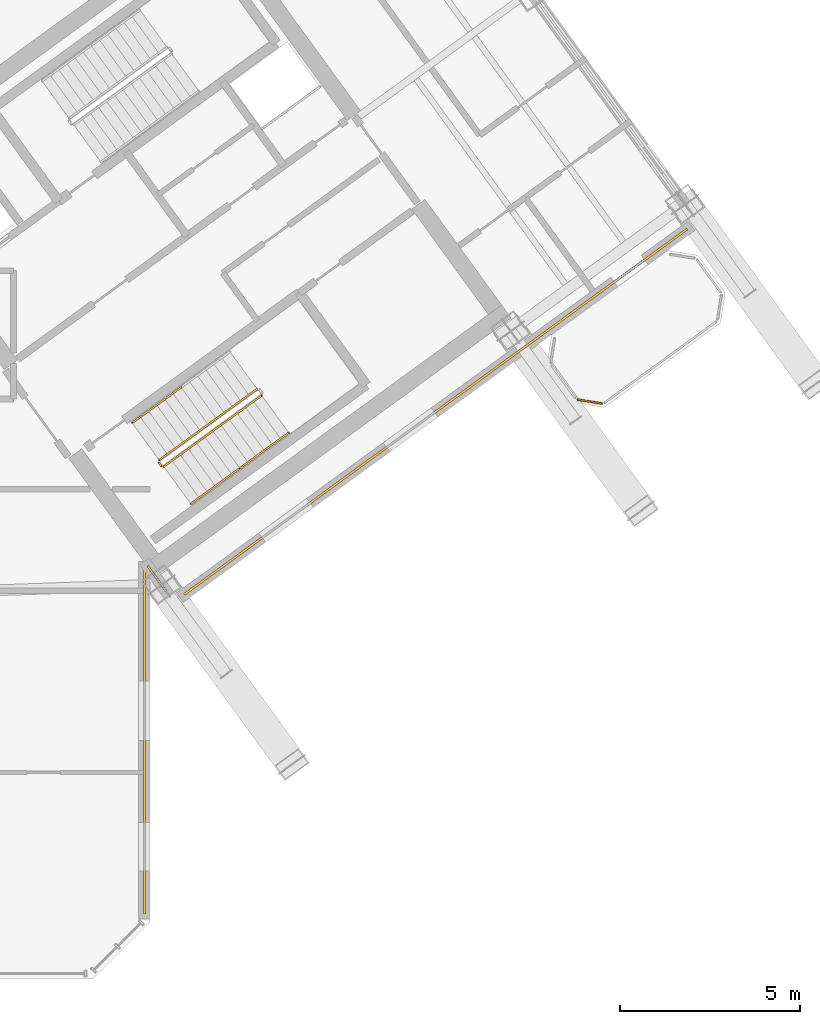
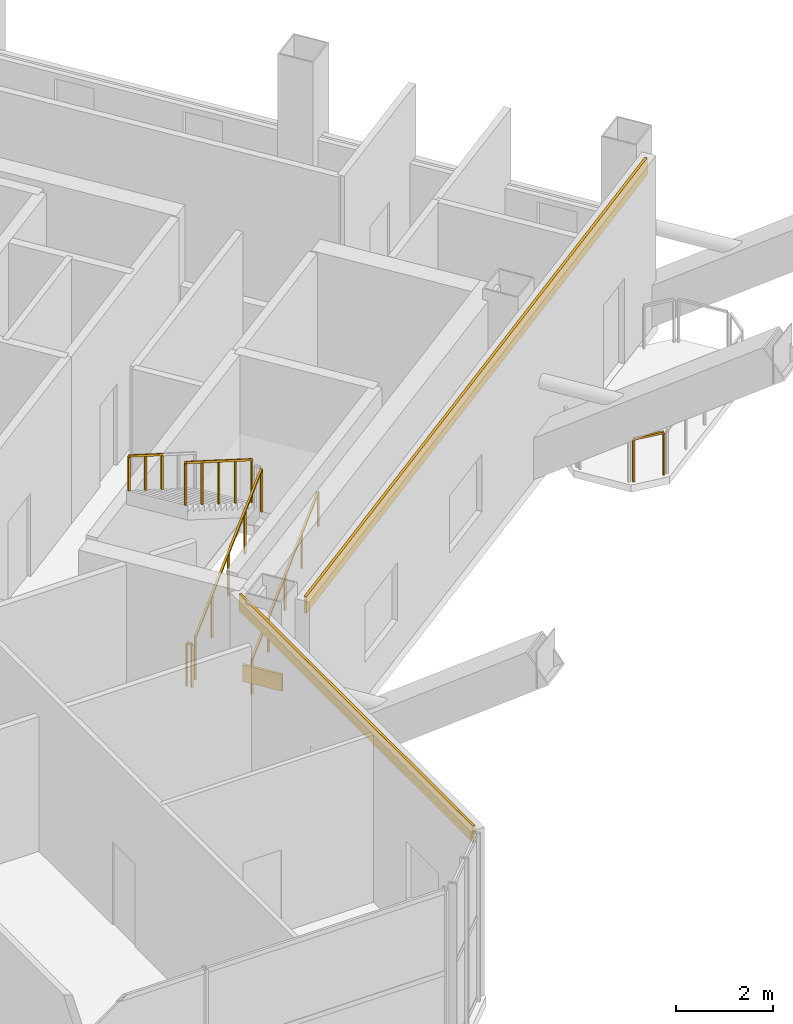
# One storey, part 30 of 34: 7 railings, 3 coverings.
"""IFC4 building model written with IfcOpenShell, lengths in metres."""

from ifc_helpers import new_model, si_unit, direction, frame, origin, origin_2d, place, context, subcontext, project, spatial, rectangle, extrude, source, transform, mapped, material, layer, layer_set, type_object, element, save


model = new_model("IFC4")

# Units and contexts
model_context = context("Model", 3, precision=1e-05, world=origin(), true_north=direction((0.0, 1.0)))
body_context = subcontext(model_context, "Body", "Model", "MODEL_VIEW")
ifc_project = project(units=[si_unit("LENGTHUNIT", "METRE"), si_unit("AREAUNIT", "SQUARE_METRE"), si_unit("VOLUMEUNIT", "CUBIC_METRE"), si_unit("PLANEANGLEUNIT", "RADIAN"), si_unit("MASSUNIT", "GRAM", prefix="KILO")], contexts=[model_context])

# Site, building, storey
site_placement = place(None, origin())
site = spatial("IfcSite", under=ifc_project, at=site_placement, CompositionType="ELEMENT")
building_placement = place(site_placement, origin())
building = spatial("IfcBuilding", under=site, at=building_placement, Name="Tlacorven Tower", CompositionType="ELEMENT")
storey_placement = place(building_placement, frame((0.0, 0.0, 229.199951171875)))
storey = spatial("IfcBuildingStorey", under=building, at=storey_placement, Name="L58", CompositionType="ELEMENT", Elevation=229.199951171875)

# Railing
ifc_material_1 = material(Name="Aluminium and painted steel balustrade", Category="steel")
railing_type_1 = type_object("IfcRailingType", Name="RL-BAL-1100", PredefinedType="BALUSTRADE", material=ifc_material_1)
shared_shape_1 = source(origin(), body_context, "Body", "SweptSolid", [
    extrude(rectangle(XDim=0.048095703125, YDim=0.048095703125, at=origin_2d()), frame((0.0, 0.0, 1.076171875), z_axis=(-0.987718317463, 0.156245081039, 0.0), x_axis=(-0.156245081039, -0.987718317463, 0.0)), (0.0, 0.0, 1.0), 0.66552734375),
    extrude(rectangle(XDim=0.0419921875, YDim=0.0419921875, at=origin_2d()), origin(), (0.0, 0.0, 1.0), 1.052001953125),
    extrude(rectangle(XDim=0.0419921875, YDim=0.0419921875, at=origin_2d()), frame((-0.657470703125, 0.10400390625, 0.0)), (0.0, 0.0, 1.0), 1.052001953125),
])
railing_1_placement = place(storey_placement, frame((64.950927734375, 17.80810546875, 0.0)))
element("IfcRailing", 1, at=railing_1_placement, inside=storey, type_object=railing_type_1, Name="BAL-L58-E-OUT Guard Railing 1", PredefinedType="BALUSTRADE", context=body_context, shape_type="MappedRepresentation", body=[
    mapped(shared_shape_1, transform((0.0, 0.0, 0.0), scale=1.0)),
])

# Coverings
ifc_material_2 = material(Name="Precast concrete C45/55", Category="concrete")
ifc_layer = layer(ifc_material_2, 0.06005859375)
ifc_layer_set = layer_set([ifc_layer], Name="Precast concrete C45/55")
covering_type = type_object("IfcCoveringType", Name="CV-CLD-TERC", PredefinedType="CLADDING", material=ifc_layer_set)
shared_shape_2 = source(origin(), body_context, "Body", "SweptSolid", [
    extrude(rectangle(XDim=17.287353515625, YDim=0.06005859375, at=origin_2d()), origin(), (0.0, 0.0, 1.0), 0.419921875),
])
covering_1_placement = place(storey_placement, frame((60.339111328125, 17.578125, 3.800048828125), z_axis=(0.0, 0.0, 1.0), x_axis=(-0.809016829126, -0.587785479738, 0.0)))
element("IfcCovering", 2, at=covering_1_placement, inside=storey, type_object=covering_type, Name="L58 Masonry-Frame Spandrel Cladding 6", PredefinedType="CLADDING", context=body_context, shape_type="MappedRepresentation", body=[
    mapped(shared_shape_2, transform((0.0, 0.0, 0.0), scale=1.0)),
])
shared_shape_3 = source(origin(), body_context, "Body", "SweptSolid", [
    extrude(rectangle(XDim=9.647705078125, YDim=0.06005859375, at=origin_2d()), origin(), (0.0, 0.0, 1.0), 0.419921875),
])
covering_2_placement = place(storey_placement, frame((52.239990234375, 8.440185546875, 3.800048828125), z_axis=(0.0, 0.0, 1.0), x_axis=(0.0, -1.0, 0.0)))
element("IfcCovering", 3, at=covering_2_placement, inside=storey, type_object=covering_type, Name="L58 Masonry-Frame Spandrel Cladding 8", PredefinedType="CLADDING", context=body_context, shape_type="MappedRepresentation", body=[
    mapped(shared_shape_3, transform((0.0, 0.0, 0.0), scale=1.0)),
])
shared_shape_4 = source(origin(), body_context, "Body", "SweptSolid", [
    extrude(rectangle(XDim=0.885498046875, YDim=0.06005859375, at=origin_2d()), origin(), (0.0, 0.0, 1.0), 0.419921875),
])
covering_3_placement = place(storey_placement, frame((52.58837890625, 12.934326171875, 1.97509765625), z_axis=(0.0, 0.0, 1.0), x_axis=(-0.587784043831, 0.809017872372, 0.0)))
element("IfcCovering", 4, at=covering_3_placement, inside=storey, type_object=covering_type, Name="L58 Masonry-Frame Spandrel Cladding 7", PredefinedType="CLADDING", context=body_context, shape_type="MappedRepresentation", body=[
    mapped(shared_shape_4, transform((0.0, 0.0, 0.0), scale=1.0)),
])

# Railings
railing_type_2 = type_object("IfcRailingType", Name="RL-GRD-1100", PredefinedType="GUARDRAIL", material=ifc_material_1)
shared_shape_5 = source(origin(), body_context, "Body", "SweptSolid", [
    extrude(rectangle(XDim=0.048095703125, YDim=0.048095703125, at=origin_2d()), frame((0.0, 0.0, 1.076171875), z_axis=(-0.587567097037, 0.809175448515, 0.0), x_axis=(-0.809175448515, -0.587567097037, 0.0)), (0.0, 0.0, 1.0), 0.1201171875),
    extrude(rectangle(XDim=0.0419921875, YDim=0.0419921875, at=origin_2d()), origin(), (0.0, 0.0, 1.0), 1.052001953125),
    extrude(rectangle(XDim=0.0419921875, YDim=0.0419921875, at=origin_2d()), frame((-0.070556640625, 0.09716796875, 0.0)), (0.0, 0.0, 1.0), 1.052001953125),
])
railing_2_placement = place(storey_placement, frame((52.71142578125, 16.065673828125, 0.0)))
element("IfcRailing", 5, at=railing_2_placement, inside=storey, type_object=railing_type_2, Name="L58 ST-E2 stair guard 4", PredefinedType="GUARDRAIL", context=body_context, shape_type="MappedRepresentation", body=[
    mapped(shared_shape_5, transform((0.0, 0.0, 0.0), scale=1.0)),
])
shared_shape_6 = source(origin(), body_context, "Body", "SweptSolid", [
    extrude(rectangle(XDim=0.048095703125, YDim=0.048095703125, at=origin_2d()), frame((0.0, 0.0, 1.076171875), z_axis=(0.688166980386, 0.499962520599, 0.525798141023), x_axis=(-0.587769819143, 0.809028206989, 0.0)), (0.0, 0.0, 1.0), 3.949951171875),
    extrude(rectangle(XDim=0.0419921875, YDim=0.0419921875, at=origin_2d()), origin(), (0.0, 0.0, 1.0), 1.052001953125),
    extrude(rectangle(XDim=0.0419921875, YDim=0.0419921875, at=origin_2d()), frame((0.6796875, 0.49365234375, 0.519287109375)), (0.0, 0.0, 1.0), 1.052001953125),
    extrude(rectangle(XDim=0.0419921875, YDim=0.0419921875, at=origin_2d()), frame((1.359130859375, 0.9873046875, 1.03857421875)), (0.0, 0.0, 1.0), 1.052001953125),
    extrude(rectangle(XDim=0.0419921875, YDim=0.0419921875, at=origin_2d()), frame((2.03857421875, 1.481201171875, 1.5576171875)), (0.0, 0.0, 1.0), 1.052001953125),
    extrude(rectangle(XDim=0.0419921875, YDim=0.0419921875, at=origin_2d()), frame((2.71826171875, 1.974853515625, 2.076904296875)), (0.0, 0.0, 1.0), 1.052001953125),
])
railing_3_placement = place(storey_placement, frame((52.78125, 16.0546875, 0.173095703125)))
element("IfcRailing", 6, at=railing_3_placement, inside=storey, type_object=railing_type_2, Name="L58 ST-E2 stair guard 1", PredefinedType="GUARDRAIL", context=body_context, shape_type="MappedRepresentation", body=[
    mapped(shared_shape_6, transform((0.0, 0.0, 0.0), scale=1.0)),
])
shared_shape_7 = source(origin(), body_context, "Body", "SweptSolid", [
    extrude(rectangle(XDim=0.048095703125, YDim=0.048095703125, at=origin_2d()), frame((0.0, 0.0, 1.076171875), z_axis=(-0.688166980386, -0.499962520599, 0.525798141023), x_axis=(0.587769819143, -0.809028206989, 0.0)), (0.0, 0.0, 1.0), 3.949951171875),
    extrude(rectangle(XDim=0.0419921875, YDim=0.0419921875, at=origin_2d()), origin(), (0.0, 0.0, 1.0), 1.052001953125),
    extrude(rectangle(XDim=0.0419921875, YDim=0.0419921875, at=origin_2d()), frame((-0.6796875, -0.49365234375, 0.519287109375)), (0.0, 0.0, 1.0), 1.052001953125),
    extrude(rectangle(XDim=0.0419921875, YDim=0.0419921875, at=origin_2d()), frame((-1.359130859375, -0.9873046875, 1.03857421875)), (0.0, 0.0, 1.0), 1.052001953125),
    extrude(rectangle(XDim=0.0419921875, YDim=0.0419921875, at=origin_2d()), frame((-2.03857421875, -1.481201171875, 1.5576171875)), (0.0, 0.0, 1.0), 1.052001953125),
    extrude(rectangle(XDim=0.0419921875, YDim=0.0419921875, at=origin_2d()), frame((-2.71826171875, -1.974853515625, 2.076904296875)), (0.0, 0.0, 1.0), 1.052001953125),
])
railing_4_placement = place(storey_placement, frame((55.3701171875, 18.20751953125, 2.423095703125)))
element("IfcRailing", 7, at=railing_4_placement, inside=storey, type_object=railing_type_2, Name="L58 ST-E2 stair guard 3", PredefinedType="GUARDRAIL", context=body_context, shape_type="MappedRepresentation", body=[
    mapped(shared_shape_7, transform((0.0, 0.0, 0.0), scale=1.0)),
])
railing_type_3 = type_object("IfcRailingType", Name="RL-HND-0900", PredefinedType="HANDRAIL", material=ifc_material_1)
shared_shape_8 = source(origin(), body_context, "Body", "SweptSolid", [
    extrude(rectangle(XDim=0.048095703125, YDim=0.048095703125, at=origin_2d()), frame((0.0, 0.0, 0.8759765625), z_axis=(0.688123352181, 0.499992627909, 0.525826610414), x_axis=(-0.587817375869, 0.808993654256, 0.0)), (0.0, 0.0, 1.0), 1.97509765625),
    extrude(rectangle(XDim=0.0419921875, YDim=0.0419921875, at=origin_2d()), origin(), (0.0, 0.0, 1.0), 0.851806640625),
    extrude(rectangle(XDim=0.0419921875, YDim=0.0419921875, at=origin_2d()), frame((0.6796875, 0.49365234375, 0.519287109375)), (0.0, 0.0, 1.0), 0.851806640625),
    extrude(rectangle(XDim=0.0419921875, YDim=0.0419921875, at=origin_2d()), frame((1.359130859375, 0.987548828125, 1.03857421875)), (0.0, 0.0, 1.0), 0.851806640625),
])
railing_5_placement = place(storey_placement, frame((53.53369140625, 15.01904296875, 0.173095703125)))
element("IfcRailing", 8, at=railing_5_placement, inside=storey, type_object=railing_type_3, Name="L58 ST-E2 stair handrail 1", PredefinedType="HANDRAIL", context=body_context, shape_type="MappedRepresentation", body=[
    mapped(shared_shape_8, transform((0.0, 0.0, 0.0), scale=1.0)),
])
shared_shape_9 = source(origin(), body_context, "Body", "SweptSolid", [
    extrude(rectangle(XDim=0.048095703125, YDim=0.048095703125, at=origin_2d()), frame((0.0, 0.0, 0.8759765625), z_axis=(-0.688168076653, -0.500025124854, 0.525737170829), x_axis=(0.587817375869, -0.808993654256, 0.0)), (0.0, 0.0, 1.0), 1.97509765625),
    extrude(rectangle(XDim=0.0419921875, YDim=0.0419921875, at=origin_2d()), origin(), (0.0, 0.0, 1.0), 0.851806640625),
    extrude(rectangle(XDim=0.0419921875, YDim=0.0419921875, at=origin_2d()), frame((-0.6796875, -0.49365234375, 0.51904296875)), (0.0, 0.0, 1.0), 0.851806640625),
    extrude(rectangle(XDim=0.0419921875, YDim=0.0419921875, at=origin_2d()), frame((-1.359130859375, -0.987548828125, 1.038330078125)), (0.0, 0.0, 1.0), 0.851806640625),
])
railing_6_placement = place(storey_placement, frame((53.2587890625, 18.255615234375, 3.461669921875)))
element("IfcRailing", 9, at=railing_6_placement, inside=storey, type_object=railing_type_3, Name="L58 ST-E2 stair handrail 4", PredefinedType="HANDRAIL", context=body_context, shape_type="MappedRepresentation", body=[
    mapped(shared_shape_9, transform((0.0, 0.0, 0.0), scale=1.0)),
])
shared_shape_10 = source(origin(), body_context, "Body", "SweptSolid", [
    extrude(rectangle(XDim=0.048095703125, YDim=0.048095703125, at=origin_2d()), frame((0.0, 0.0, 0.8759765625), z_axis=(0.688168076653, 0.500025124854, 0.525737170829), x_axis=(-0.587817375869, 0.808993654256, 0.0)), (0.0, 0.0, 1.0), 1.97509765625),
    extrude(rectangle(XDim=0.0419921875, YDim=0.0419921875, at=origin_2d()), origin(), (0.0, 0.0, 1.0), 0.851806640625),
    extrude(rectangle(XDim=0.0419921875, YDim=0.0419921875, at=origin_2d()), frame((0.6796875, 0.49365234375, 0.51904296875)), (0.0, 0.0, 1.0), 0.851806640625),
    extrude(rectangle(XDim=0.0419921875, YDim=0.0419921875, at=origin_2d()), frame((1.359130859375, 0.987548828125, 1.038330078125)), (0.0, 0.0, 1.0), 0.851806640625),
])
railing_7_placement = place(storey_placement, frame((54.892822265625, 16.006591796875, 1.211669921875)))
element("IfcRailing", 10, at=railing_7_placement, inside=storey, type_object=railing_type_3, Name="L58 ST-E2 stair handrail 2", PredefinedType="HANDRAIL", context=body_context, shape_type="MappedRepresentation", body=[
    mapped(shared_shape_10, transform((0.0, 0.0, 0.0), scale=1.0)),
])

save(model, "model.ifc")
